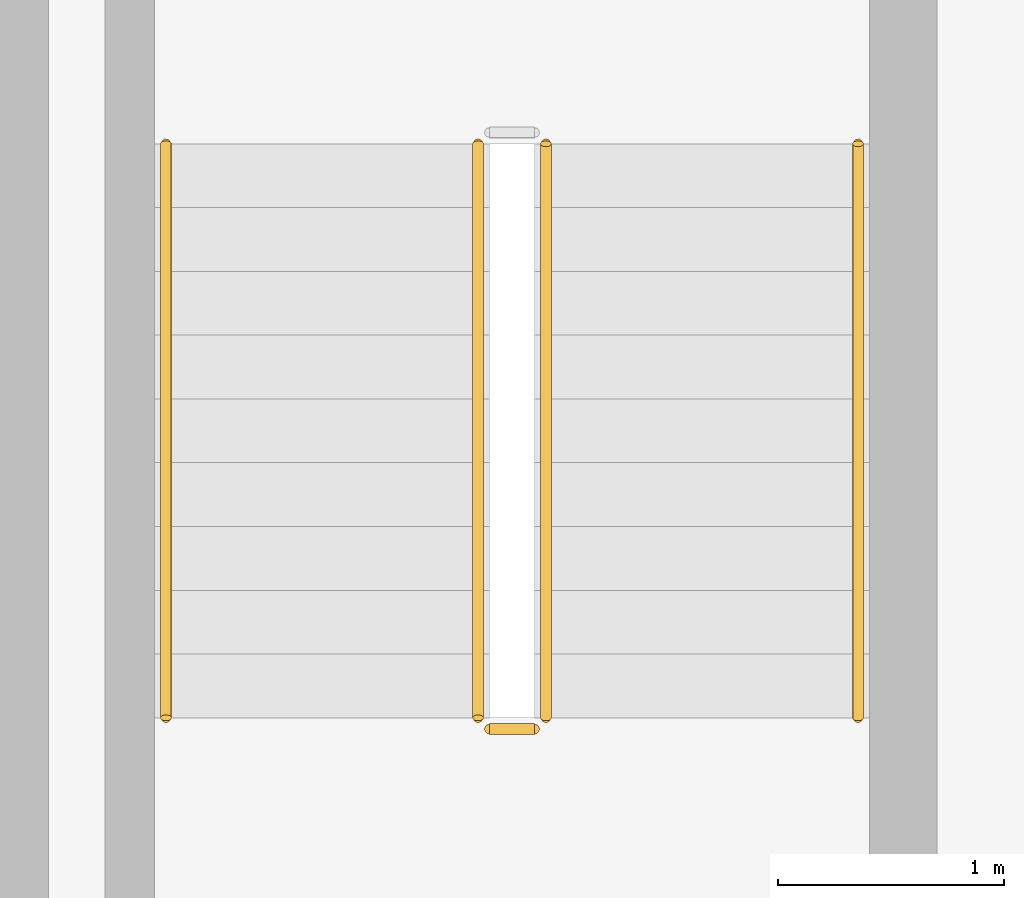
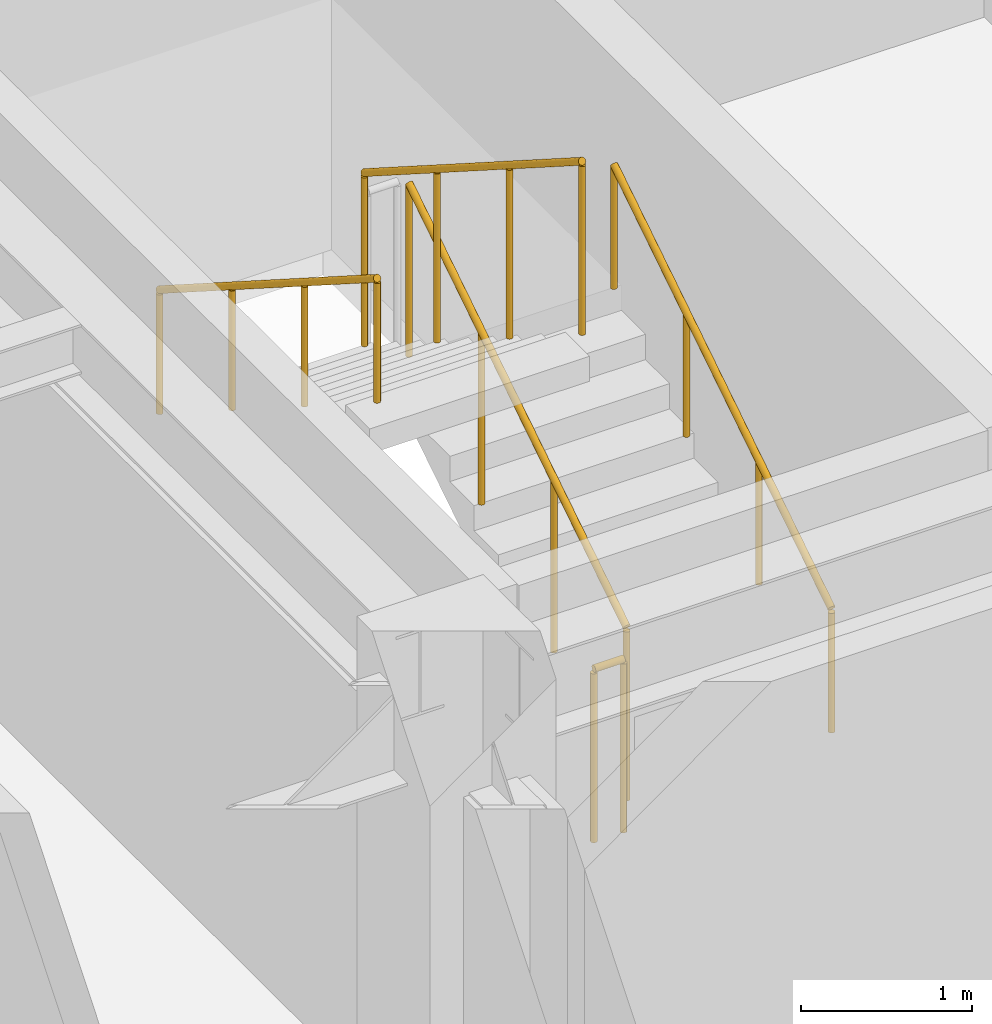
# One storey, part 9 of 11: 5 railings.
"""IFC4 building model written with IfcOpenShell, lengths in metres."""

import ifcopenshell
import ifcopenshell.guid

model = None  # the IFC model being written
_history = None  # IfcOwnerHistory: only IFC2X3 demands one
_inside = {}  # id of a spatial element -> (the spatial element, [elements in it])
_under = {}  # id of a project, library or spatial element -> (it, [spatial elements below it])
_declared = {}  # id of a project -> (the project, [libraries it declares])
_typed = {}  # id of a type object -> (the type object, [elements of that type])
_made_of = {}  # id of a material, layer set ... -> (it, [elements and type objects made of it])


def new_model(schema):
    """Start an empty IFC model of exactly this schema.

    Asked for "IFC4X3", IfcOpenShell would pick the latest addendum, in which some entities
    have other attributes; the version numbers below select the first issue.
    IFC2X3 requires an IfcOwnerHistory on every rooted entity: one is made here for all.
    """
    global model, _history
    if schema == "IFC4X3":
        model = ifcopenshell.file(schema_version=(4, 3, 0, 0))
    else:
        model = ifcopenshell.file(schema=schema)
    _inside.clear()
    _under.clear()
    _declared.clear()
    _typed.clear()
    _made_of.clear()
    _history = None
    if model.schema == "IFC2X3":
        org = make("IfcOrganization", Name="unknown")
        user = make(
            "IfcPersonAndOrganization",
            ThePerson=make("IfcPerson", FamilyName="unknown"),
            TheOrganization=org,
        )
        app = make(
            "IfcApplication",
            ApplicationDeveloper=org,
            Version="unknown",
            ApplicationFullName="unknown",
            ApplicationIdentifier="unknown",
        )
        _history = make(
            "IfcOwnerHistory",
            OwningUser=user,
            OwningApplication=app,
            ChangeAction="ADDED",
            CreationDate=0,
        )
    return model


def make(cls, **values):
    """One entity of the class cls with the attributes given. An attribute that is None is left unset."""
    return model.create_entity(
        cls, **{name: value for name, value in values.items() if value is not None}
    )


def rooted(cls, **values):
    """An entity with a GlobalId (a new one), such as an element, a storey or a relation."""
    return make(cls, GlobalId=ifcopenshell.guid.new(), OwnerHistory=_history, **values)


def si_unit(unit_type, name, prefix=None):
    """IfcSIUnit, for example si_unit("LENGTHUNIT", "METRE", prefix="MILLI")."""
    return make("IfcSIUnit", UnitType=unit_type, Prefix=prefix, Name=name)


def assignment(units):
    """IfcUnitAssignment: the units of a project."""
    return None if units is None else make("IfcUnitAssignment", Units=units)


def point(xyz):
    """IfcCartesianPoint."""
    return None if xyz is None else make("IfcCartesianPoint", Coordinates=xyz)


def direction(xyz):
    """IfcDirection."""
    return None if xyz is None else make("IfcDirection", DirectionRatios=xyz)


def frame(location, z_axis=None, x_axis=None):
    """IfcAxis2Placement3D, a coordinate frame: its origin and axes. An axis left out is left unset."""
    return make(
        "IfcAxis2Placement3D",
        Location=point(location),
        Axis=direction(z_axis),
        RefDirection=direction(x_axis),
    )


def frame_2d(location, x_axis=None):
    """IfcAxis2Placement2D, a coordinate frame in the plane: its origin and x axis."""
    return make(
        "IfcAxis2Placement2D", Location=point(location), RefDirection=direction(x_axis)
    )


def origin():
    """The frame at (0, 0, 0) with its axes left unset."""
    return frame((0.0, 0.0, 0.0))


def origin_2d():
    """The frame at (0, 0) in the plane with its x axis left unset."""
    return frame_2d((0.0, 0.0))


def place(relative_to, where):
    """IfcLocalPlacement: puts the frame where relative to a parent placement (None: the world)."""
    return make(
        "IfcLocalPlacement", PlacementRelTo=relative_to, RelativePlacement=where
    )


def context(
    kind, dimensions, precision=None, world=None, true_north=None, identifier=None
):
    """IfcGeometricRepresentationContext, for example the 3D "Model" context."""
    return make(
        "IfcGeometricRepresentationContext",
        ContextIdentifier=identifier,
        ContextType=kind,
        CoordinateSpaceDimension=dimensions,
        Precision=precision,
        WorldCoordinateSystem=world,
        TrueNorth=true_north,
    )


def subcontext(parent, identifier, kind, view, scale=None):
    """IfcGeometricRepresentationSubContext, for example "Body" below "Model"."""
    return make(
        "IfcGeometricRepresentationSubContext",
        ContextIdentifier=identifier,
        ContextType=kind,
        ParentContext=parent,
        TargetScale=scale,
        TargetView=view,
    )


def project(units=None, contexts=None):
    """IfcProject with its units and contexts."""
    return rooted(
        "IfcProject",
        Name="project",
        RepresentationContexts=contexts,
        UnitsInContext=assignment(units),
    )


def spatial(cls, under=None, at=None, **own):
    """A site, building, storey or space (cls), placed at a placement, below another one or the project."""
    s = rooted(cls, ObjectPlacement=at, **own)
    if under is not None:
        _under.setdefault(under.id(), (under, []))[1].append(s)
    return s


def profile(cls, at=None, kind="AREA", **sizes):
    """A parametric profile (cls). Its sizes go by their IFC names, for example OverallWidth=200.0."""
    return make(cls, ProfileType=kind, Position=at, **sizes)


def circle(**sizes):
    """IfcCircleProfileDef."""
    return profile("IfcCircleProfileDef", **sizes)


def extrude(swept, where, along, depth):
    """IfcExtrudedAreaSolid: the profile swept, set in the frame where, extruded along a direction by depth."""
    return make(
        "IfcExtrudedAreaSolid",
        SweptArea=swept,
        Position=where,
        ExtrudedDirection=direction(along),
        Depth=depth,
    )


def shape(context_of_items, identifier, shape_type, items):
    """IfcShapeRepresentation: the items that make up one representation, for example the "Body"."""
    return make(
        "IfcShapeRepresentation",
        ContextOfItems=context_of_items,
        RepresentationIdentifier=identifier,
        RepresentationType=shape_type,
        Items=items,
    )


def material(Name=None, Category=None):
    """IfcMaterial."""
    return make("IfcMaterial", Name=Name, Category=Category)


def made_of(thing, what):
    """Note that an element or type object is made of a material, layer set ...; save() writes the relation."""
    if what is not None:
        _made_of.setdefault(what.id(), (what, []))[1].append(thing)
    return thing


def type_object(cls, material=None, **own):
    """A type object (cls), such as IfcWallType, which elements share."""
    return made_of(rooted(cls, **own), material)


def element(
    cls,
    number,
    at=None,
    inside=None,
    cuts=None,
    type_object=None,
    material=None,
    context=None,
    identifier="Body",
    shape_type=None,
    held_by="IfcProductDefinitionShape",
    body=None,
    shapes=None,
    **own,
):
    """One element of the class cls, such as IfcWall. Its Tag is "e" and its number.

    at: its placement. inside: the storey or other place that contains it. cuts: it is an
    opening in that element (IfcRelVoidsElement). A single representation is given by context,
    identifier, shape_type and body (its items); several are given by shapes. held_by: the class
    of the entity that holds the representations. save() writes the other relations.
    """
    e = rooted(cls, Tag="e%d" % number, ObjectPlacement=at, **own)
    if body is not None:
        shapes = [shape(context, identifier, shape_type, body)]
    if shapes is not None:
        e.Representation = make(held_by, Representations=shapes)
    if inside is not None:
        _inside.setdefault(inside.id(), (inside, []))[1].append(e)
    if cuts is not None:
        rooted(
            "IfcRelVoidsElement", RelatingBuildingElement=cuts, RelatedOpeningElement=e
        )
    if type_object is not None:
        _typed.setdefault(type_object.id(), (type_object, []))[1].append(e)
    return made_of(e, material)


def aggregate(whole, parts):
    """IfcRelAggregates: a whole, such as a stair, and the parts it consists of."""
    return rooted("IfcRelAggregates", RelatingObject=whole, RelatedObjects=parts)


def save(model, path):
    """Write the relations noted so far, then the file.

    IfcRelAggregates (storeys below a building ...), IfcRelContainedInSpatialStructure (elements
    in a storey), IfcRelDefinesByType, IfcRelAssociatesMaterial and IfcRelDeclares: one each for
    every whole, place, type object, material and project.
    """
    for whole, parts in _under.values():
        aggregate(whole, parts)
    for where, things in _inside.values():
        rooted(
            "IfcRelContainedInSpatialStructure",
            RelatedElements=things,
            RelatingStructure=where,
        )
    for kind, things in _typed.values():
        rooted("IfcRelDefinesByType", RelatedObjects=things, RelatingType=kind)
    for what, things in _made_of.values():
        rooted("IfcRelAssociatesMaterial", RelatedObjects=things, RelatingMaterial=what)
    for by, libraries in _declared.values():
        rooted("IfcRelDeclares", RelatingContext=by, RelatedDefinitions=libraries)
    model.write(path)


model = new_model("IFC4")

# Units and contexts
model_context = context("Model", 3, precision=1e-05, world=origin(), true_north=direction((0.0, 1.0)))
body_context = subcontext(model_context, "Body", "Model", "MODEL_VIEW")
ifc_project = project(units=[si_unit("LENGTHUNIT", "METRE"), si_unit("AREAUNIT", "SQUARE_METRE"), si_unit("VOLUMEUNIT", "CUBIC_METRE"), si_unit("PLANEANGLEUNIT", "RADIAN"), si_unit("MASSUNIT", "GRAM", prefix="KILO")], contexts=[model_context])

# Site, building, storey
site_placement = place(None, origin())
site = spatial("IfcSite", under=ifc_project, at=site_placement, CompositionType="ELEMENT")
building_placement = place(site_placement, origin())
building = spatial("IfcBuilding", under=site, at=building_placement, Name="Ochreholt Gables", CompositionType="ELEMENT")
storey_placement = place(building_placement, frame((0.0, 0.0, 87.60009765625)))
storey = spatial("IfcBuildingStorey", under=building, at=storey_placement, Name="L22", CompositionType="ELEMENT", Elevation=87.60009765625)

# Railings
ifc_material_1 = material(Name="Painted Steel Stair Guardrail", Category="steel")
railing_type_1 = type_object("IfcRailingType", Name="RL-ST-GUARD", PredefinedType="GUARDRAIL", material=ifc_material_1)
railing_1_placement = place(storey_placement, frame((26.64990234375, 32.4599609375, 0.179931640625)))
element("IfcRailing", 1, at=railing_1_placement, inside=storey, type_object=railing_type_1, Name="L22 ST-2 stair guard 1", PredefinedType="GUARDRAIL", context=body_context, shape_type="SweptSolid", body=[
    extrude(circle(Radius=0.02392578125, at=origin_2d()), frame((0.0, 0.0, 1.22607421875), z_axis=(0.0, 0.842949592929, 0.537992549931), x_axis=(-1.0, 0.0, 0.0)), (0.0, 0.0, 1.0), 3.010986328125),
    extrude(circle(Radius=0.02099609375, at=origin_2d()), origin(), (0.0, 0.0, 1.0), 1.201904296875),
    extrude(circle(Radius=0.02099609375, at=origin_2d()), frame((0.0, 0.845947265625, 0.5400390625)), (0.0, 0.0, 1.0), 1.201904296875),
    extrude(circle(Radius=0.02099609375, at=origin_2d()), frame((0.0, 1.692138671875, 1.079833984375)), (0.0, 0.0, 1.0), 1.201904296875),
    extrude(circle(Radius=0.02099609375, at=origin_2d()), frame((0.0, 2.5380859375, 1.619873046875)), (0.0, 0.0, 1.0), 1.201904296875),
])
railing_2_placement = place(storey_placement, frame((26.35009765625, 34.998046875, 1.97998046875)))
element("IfcRailing", 2, at=railing_2_placement, inside=storey, type_object=railing_type_1, Name="L22 ST-2 stair guard 3", PredefinedType="GUARDRAIL", context=body_context, shape_type="SweptSolid", body=[
    extrude(circle(Radius=0.02392578125, at=origin_2d()), frame((0.0, 0.0, 1.22607421875), z_axis=(0.0, -0.842949592929, 0.537992549931), x_axis=(1.0, 0.0, 0.0)), (0.0, 0.0, 1.0), 3.010986328125),
    extrude(circle(Radius=0.02099609375, at=origin_2d()), origin(), (0.0, 0.0, 1.0), 1.201904296875),
    extrude(circle(Radius=0.02099609375, at=origin_2d()), frame((0.0, -0.845947265625, 0.5400390625)), (0.0, 0.0, 1.0), 1.201904296875),
    extrude(circle(Radius=0.02099609375, at=origin_2d()), frame((0.0, -1.692138671875, 1.079833984375)), (0.0, 0.0, 1.0), 1.201904296875),
    extrude(circle(Radius=0.02099609375, at=origin_2d()), frame((0.0, -2.5380859375, 1.619873046875)), (0.0, 0.0, 1.0), 1.201904296875),
])
railing_3_placement = place(storey_placement, frame((26.60009765625, 32.409912109375, 0.0)))
element("IfcRailing", 3, at=railing_3_placement, inside=storey, type_object=railing_type_1, Name="L22 ST-2 stair guard 4", PredefinedType="GUARDRAIL", context=body_context, shape_type="SweptSolid", body=[
    extrude(circle(Radius=0.02392578125, at=origin_2d()), frame((0.0, 0.0, 1.22607421875), z_axis=(-1.0, 0.0, 0.0), x_axis=(0.0, -1.0, 0.0)), (0.0, 0.0, 1.0), 0.2001953125),
    extrude(circle(Radius=0.02099609375, at=origin_2d()), origin(), (0.0, 0.0, 1.0), 1.201904296875),
    extrude(circle(Radius=0.02099609375, at=origin_2d()), frame((-0.2001953125, 0.0, 0.0)), (0.0, 0.0, 1.0), 1.201904296875),
])
ifc_material_2 = material(Name="Brushed Stainless Steel Wall Handrail", Category="steel")
railing_type_2 = type_object("IfcRailingType", Name="RL-ST-HAND", PredefinedType="HANDRAIL", material=ifc_material_2)
railing_4_placement = place(storey_placement, frame((28.030029296875, 32.4599609375, 0.179931640625)))
element("IfcRailing", 4, at=railing_4_placement, inside=storey, type_object=railing_type_2, Name="L22 ST-2 stair handrail 1", PredefinedType="HANDRAIL", context=body_context, shape_type="SweptSolid", body=[
    extrude(circle(Radius=0.02392578125, at=origin_2d()), frame((0.0, 0.0, 0.8759765625), z_axis=(0.0, 0.842949592929, 0.537992549931), x_axis=(-1.0, 0.0, 0.0)), (0.0, 0.0, 1.0), 3.010986328125),
    extrude(circle(Radius=0.02099609375, at=origin_2d()), origin(), (0.0, 0.0, 1.0), 0.851806640625),
    extrude(circle(Radius=0.02099609375, at=origin_2d()), frame((0.0, 0.845947265625, 0.5400390625)), (0.0, 0.0, 1.0), 0.851806640625),
    extrude(circle(Radius=0.02099609375, at=origin_2d()), frame((0.0, 1.692138671875, 1.079833984375)), (0.0, 0.0, 1.0), 0.851806640625),
    extrude(circle(Radius=0.02099609375, at=origin_2d()), frame((0.0, 2.5380859375, 1.619873046875)), (0.0, 0.0, 1.0), 0.851806640625),
])
railing_5_placement = place(storey_placement, frame((24.969970703125, 34.998046875, 1.97998046875)))
element("IfcRailing", 5, at=railing_5_placement, inside=storey, type_object=railing_type_2, Name="L22 ST-2 stair handrail 2", PredefinedType="HANDRAIL", context=body_context, shape_type="SweptSolid", body=[
    extrude(circle(Radius=0.02392578125, at=origin_2d()), frame((0.0, 0.0, 0.8759765625), z_axis=(0.0, -0.842949592929, 0.537992549931), x_axis=(1.0, 0.0, 0.0)), (0.0, 0.0, 1.0), 3.010986328125),
    extrude(circle(Radius=0.02099609375, at=origin_2d()), origin(), (0.0, 0.0, 1.0), 0.851806640625),
    extrude(circle(Radius=0.02099609375, at=origin_2d()), frame((0.0, -0.845947265625, 0.5400390625)), (0.0, 0.0, 1.0), 0.851806640625),
    extrude(circle(Radius=0.02099609375, at=origin_2d()), frame((0.0, -1.692138671875, 1.079833984375)), (0.0, 0.0, 1.0), 0.851806640625),
    extrude(circle(Radius=0.02099609375, at=origin_2d()), frame((0.0, -2.5380859375, 1.619873046875)), (0.0, 0.0, 1.0), 0.851806640625),
])

save(model, "model.ifc")
